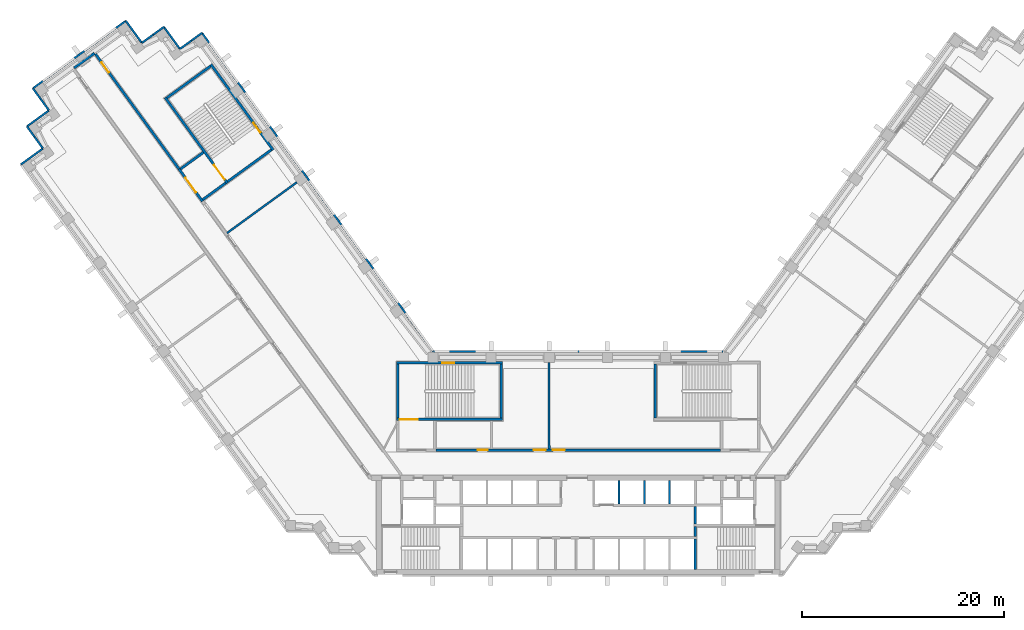
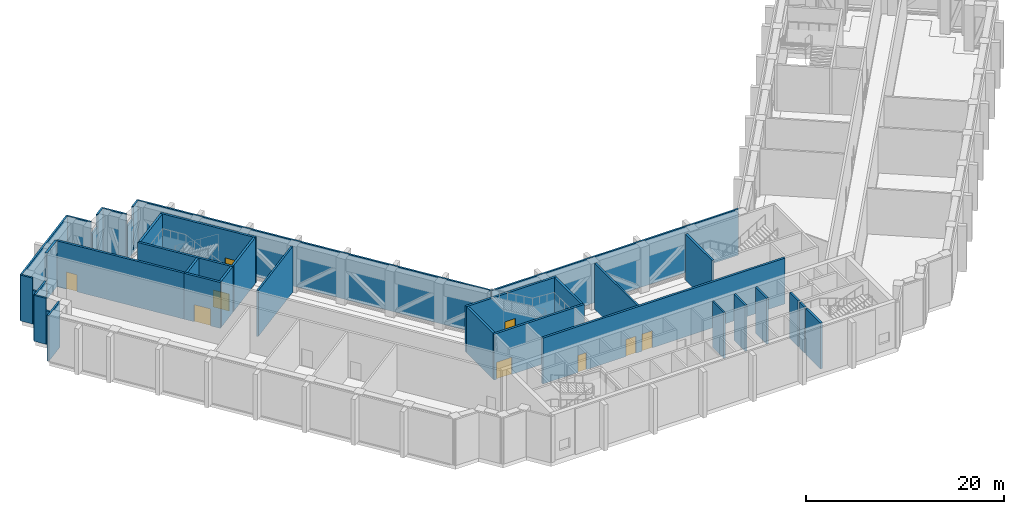
# One storey, part 13 of 19: 38 walls, 7 doors, 2 windows, 9 openings.
"""IFC4 building model written with IfcOpenShell, lengths in metres."""

from ifc_helpers import new_model, si_unit, direction, frame, frame_2d, origin, place, context, subcontext, project, spatial, rectangle, extrude, material, layer, layer_set, type_object, element, fill, save


model = new_model("IFC4")

# Units and contexts
model_context = context("Model", 3, precision=1e-05, world=origin(), true_north=direction((0.0, 1.0)))
body_context = subcontext(model_context, "Body", "Model", "MODEL_VIEW")
ifc_project = project(units=[si_unit("LENGTHUNIT", "METRE"), si_unit("AREAUNIT", "SQUARE_METRE"), si_unit("VOLUMEUNIT", "CUBIC_METRE"), si_unit("PLANEANGLEUNIT", "RADIAN"), si_unit("MASSUNIT", "GRAM", prefix="KILO")], contexts=[model_context])

# Site, building, storey
site_placement = place(None, origin())
site = spatial("IfcSite", under=ifc_project, at=site_placement, CompositionType="ELEMENT")
building_placement = place(site_placement, origin())
building = spatial("IfcBuilding", under=site, at=building_placement, Name="Quipu Civic Tower", CompositionType="ELEMENT")
storey_placement = place(building_placement, frame((0.0, 0.0, 25.0)))
storey = spatial("IfcBuildingStorey", under=building, at=storey_placement, Name="L05", CompositionType="ELEMENT", Elevation=25.0)

# Walls
ifc_material_1 = material(Name="Fired clay blockwork", Category="masonry")
ifc_layer_1 = layer(ifc_material_1, 0.199951171875)
ifc_layer_set_1 = layer_set([ifc_layer_1], Name="Fired clay blockwork")
wall_type_1 = type_object("IfcWallType", Name="Blockwork wall 200", PredefinedType="SOLIDWALL", material=ifc_layer_set_1)
wall_1_placement = place(storey_placement, frame((-27.891845703125, 27.868408203125, 0.0), z_axis=(0.0, 0.0, 1.0), x_axis=(-0.809008992571, -0.587796265673, 0.0)))
element("IfcWall", 1, at=wall_1_placement, inside=storey, type_object=wall_type_1, Name="Partition P04", PredefinedType="SOLIDWALL", context=body_context, shape_type="SweptSolid", body=[
    extrude(rectangle(XDim=8.546630859375, YDim=0.199951171875, at=frame_2d((4.2734375, 0.0))), origin(), (0.0, 0.0, 1.0), 5.64990234375),
])
wall_2_placement = place(storey_placement, frame((-2.87890625, 1.449951171875, 0.0), z_axis=(0.0, 0.0, 1.0), x_axis=(-0.002485635589, 0.999996910803, 0.0)))
element("IfcWall", 2, at=wall_2_placement, inside=storey, type_object=wall_type_1, Name="Partition P07", PredefinedType="SOLIDWALL", context=body_context, shape_type="SweptSolid", body=[
    extrude(rectangle(XDim=8.545166015625, YDim=0.199951171875, at=frame_2d((4.2724609375, 0.0))), origin(), (0.0, 0.0, 1.0), 5.64990234375),
])
ifc_material_2 = material(Name="Concrete C70/85", Category="concrete")
ifc_layer_2 = layer(ifc_material_2, 0.25)
ifc_layer_set_2 = layer_set([ifc_layer_2], Name="Concrete C70/85")
wall_type_2 = type_object("IfcWallType", Name="Core wall 250", PredefinedType="SHEAR", material=ifc_layer_set_2)
wall_3_placement = place(storey_placement, frame((11.574951171875, -10.5, 0.0), z_axis=(0.0, 0.0, 1.0), x_axis=(0.0, 1.0, 0.0)))
element("IfcWall", 3, at=wall_3_placement, inside=storey, type_object=wall_type_2, Name="Core wall", PredefinedType="SHEAR", context=body_context, shape_type="SweptSolid", body=[
    extrude(rectangle(XDim=3.0, YDim=0.25, at=frame_2d((1.5, 0.0))), origin(), (0.0, 0.0, 1.0), 5.64990234375),
])
wall_4_placement = place(storey_placement, frame((11.574951171875, -7.25, 0.0), z_axis=(0.0, 0.0, 1.0), x_axis=(0.0, 1.0, 0.0)))
element("IfcWall", 4, at=wall_4_placement, inside=storey, type_object=wall_type_2, Name="Core wall", PredefinedType="SHEAR", context=body_context, shape_type="SweptSolid", body=[
    extrude(rectangle(XDim=1.0, YDim=0.25, at=frame_2d((0.5, 0.0))), origin(), (0.0, 0.0, 1.0), 5.64990234375),
])
wall_5_placement = place(storey_placement, frame((11.574951171875, -6.0, 0.0), z_axis=(0.0, 0.0, 1.0), x_axis=(0.0, 1.0, 0.0)))
element("IfcWall", 5, at=wall_5_placement, inside=storey, type_object=wall_type_2, Name="Core wall", PredefinedType="SHEAR", context=body_context, shape_type="SweptSolid", body=[
    extrude(rectangle(XDim=1.75, YDim=0.25, at=frame_2d((0.875, 0.0))), origin(), (0.0, 0.0, 1.0), 5.64990234375),
])

# Wall, opening, door
wall_6_placement = place(storey_placement, frame((-18.0, 4.375, 0.0), z_axis=(0.0, 0.0, 1.0), x_axis=(1.0, 0.0, 0.0)))
wall_6 = element("IfcWall", 6, at=wall_6_placement, inside=storey, type_object=wall_type_2, Name="Core wall", PredefinedType="SHEAR", context=body_context, shape_type="SweptSolid", body=[
    extrude(rectangle(XDim=10.5, YDim=0.25, at=frame_2d((5.25, 0.0))), origin(), (0.0, 0.0, 1.0), 5.64990234375),
])
opening_1_placement = place(wall_6_placement, frame((0.300048828125, 0.0, 0.0)))
opening_1 = element("IfcOpeningElement", 7, at=opening_1_placement, cuts=wall_6, Name="Opening CD-16", PredefinedType="OPENING", context=body_context, shape_type="SweptSolid", body=[
    extrude(rectangle(XDim=1.800048828125, YDim=2.10009765625, at=frame_2d((0.89990234375, 1.050048828125))), frame((0.0, 0.135009765625, 0.0), z_axis=(0.0, -1.0, 0.0), x_axis=(1.0, 0.0, 0.0)), (0.0, 0.0, 1.0), 0.27001953125),
])
ifc_material_3 = material(Name="Fire rated steel door", Category="steel")
door_type_1 = type_object("IfcDoorType", Name="Fire door FD90 double 1800 x 2100", OperationType="NOTDEFINED", PredefinedType="DOOR", material=ifc_material_3)
door_1_placement = place(opening_1_placement, origin())
door_1 = element("IfcDoor", 8, at=door_1_placement, inside=storey, type_object=door_type_1, Name="Door", OperationType="DOUBLE_DOOR_SINGLE_SWING", OverallHeight=2.10009765625, OverallWidth=1.800048828125, PredefinedType="DOOR", context=body_context, shape_type="SweptSolid", body=[
    extrude(rectangle(XDim=1.800048828125, YDim=2.10009765625, at=frame_2d((0.89990234375, 1.050048828125))), frame((0.0, 0.02490234375, 0.0), z_axis=(0.0, -1.0, 0.0), x_axis=(1.0, 0.0, 0.0)), (0.0, 0.0, 1.0), 0.050048828125),
])
fill(opening_1, door_1)

# Walls
for number, where, z_axis, x_axis, name in (
    (9, (-17.875, 4.5, 0.0), (0.0, 0.0, 1.0), (0.0, 1.0, 0.0), "Core wall"),
    (10, (-7.625, 4.5, 0.0), (0.0, 0.0, 1.0), (0.0, 1.0, 0.0), "Core wall"),
):
    element("IfcWall", number, at=place(storey_placement, frame(where, z_axis=z_axis, x_axis=x_axis)), inside=storey, type_object=wall_type_2, Name=name, PredefinedType="SHEAR", context=body_context, shape_type="SweptSolid", body=[
        extrude(rectangle(XDim=5.35009765625, YDim=0.25, at=frame_2d((2.675048828125, 0.0))), origin(), (0.0, 0.0, 1.0), 5.64990234375),
    ])

# Wall, opening, window
wall_7_placement = place(storey_placement, frame((-18.0, 9.97509765625, 0.0), z_axis=(0.0, 0.0, 1.0), x_axis=(1.0, 0.0, 0.0)))
wall_7 = element("IfcWall", 11, at=wall_7_placement, inside=storey, type_object=wall_type_2, Name="Core wall", PredefinedType="SHEAR", context=body_context, shape_type="SweptSolid", body=[
    extrude(rectangle(XDim=10.5, YDim=0.25, at=frame_2d((5.25, 0.0))), origin(), (0.0, 0.0, 1.0), 5.64990234375),
])
opening_2_placement = place(wall_7_placement, frame((4.5, 0.0, 1.0)))
opening_2 = element("IfcOpeningElement", 12, at=opening_2_placement, cuts=wall_7, Name="Opening SV-3", PredefinedType="OPENING", context=body_context, shape_type="SweptSolid", body=[
    extrude(rectangle(XDim=1.199951171875, YDim=1.199951171875, at=frame_2d((0.60009765625, 0.60009765625))), frame((0.0, 0.135009765625, 0.0), z_axis=(0.0, -1.0, 0.0), x_axis=(1.0, 0.0, 0.0)), (0.0, 0.0, 1.0), 0.27001953125),
])
ifc_material_4 = material(Name="Aluminium louvre", Category="aluminium")
window_type = type_object("IfcWindowType", Name="Stair ventilation louvre 1200 x 1200", PartitioningType="SINGLE_PANEL", PredefinedType="WINDOW", material=ifc_material_4)
window_1_placement = place(opening_2_placement, origin())
window_1 = element("IfcWindow", 13, at=window_1_placement, inside=storey, type_object=window_type, Name="Stair ventilation opening", OverallHeight=1.199951171875, OverallWidth=1.199951171875, PartitioningType="SINGLE_PANEL", PredefinedType="WINDOW", context=body_context, shape_type="SweptSolid", body=[
    extrude(rectangle(XDim=1.199951171875, YDim=1.199951171875, at=frame_2d((0.60009765625, 0.60009765625))), frame((0.0, 0.030029296875, 0.0), z_axis=(0.0, -1.0, 0.0), x_axis=(1.0, 0.0, 0.0)), (0.0, 0.0, 1.0), 0.06005859375),
])
fill(opening_2, window_1)

# Wall
wall_8_placement = place(storey_placement, frame((7.625, 4.5, 0.0), z_axis=(0.0, 0.0, 1.0), x_axis=(0.0, 1.0, 0.0)))
element("IfcWall", 14, at=wall_8_placement, inside=storey, type_object=wall_type_2, Name="Core wall", PredefinedType="SHEAR", context=body_context, shape_type="SweptSolid", body=[
    extrude(rectangle(XDim=5.35009765625, YDim=0.25, at=frame_2d((2.675048828125, 0.0))), origin(), (0.0, 0.0, 1.0), 5.64990234375),
])

# Wall, opening, window
wall_9_placement = place(storey_placement, frame((-30.239501953125, 31.06396484375, 0.0), z_axis=(0.0, 0.0, 1.0), x_axis=(-0.587795589702, 0.809009483706, 0.0)))
wall_9 = element("IfcWall", 15, at=wall_9_placement, inside=storey, type_object=wall_type_2, Name="Core wall", PredefinedType="SHEAR", context=body_context, shape_type="SweptSolid", body=[
    extrude(rectangle(XDim=10.5, YDim=0.25, at=frame_2d((5.25, 0.0))), origin(), (0.0, 0.0, 1.0), 5.64990234375),
])
opening_3_placement = place(wall_9_placement, frame((2.14990234375, 0.0, 1.0)))
opening_3 = element("IfcOpeningElement", 16, at=opening_3_placement, cuts=wall_9, Name="Opening SV-6", PredefinedType="OPENING", context=body_context, shape_type="SweptSolid", body=[
    extrude(rectangle(XDim=1.199951171875, YDim=1.199951171875, at=frame_2d((0.60009765625, 0.60009765625))), frame((0.0, 0.135009765625, 0.0), z_axis=(0.0, -1.0, 0.0), x_axis=(1.0, 0.0, 0.0)), (0.0, 0.0, 1.0), 0.27001953125),
])
window_2_placement = place(opening_3_placement, origin())
window_2 = element("IfcWindow", 17, at=window_2_placement, inside=storey, type_object=window_type, Name="Stair ventilation opening", OverallHeight=1.199951171875, OverallWidth=1.199951171875, PartitioningType="SINGLE_PANEL", PredefinedType="WINDOW", context=body_context, shape_type="SweptSolid", body=[
    extrude(rectangle(XDim=1.199951171875, YDim=1.199951171875, at=frame_2d((0.60009765625, 0.60009765625))), frame((0.0, 0.030029296875, 0.0), z_axis=(0.0, -1.0, 0.0), x_axis=(1.0, 0.0, 0.0)), (0.0, 0.0, 1.0), 0.06005859375),
])
fill(opening_3, window_2)

# Walls
wall_10_placement = place(storey_placement, frame((-30.414306640625, 31.091796875, 0.0), z_axis=(0.0, 0.0, 1.0), x_axis=(-0.8089984606, -0.587810760999, 0.0)))
element("IfcWall", 18, at=wall_10_placement, inside=storey, type_object=wall_type_2, Name="Core wall", PredefinedType="SHEAR", context=body_context, shape_type="SweptSolid", body=[
    extrude(rectangle(XDim=5.35009765625, YDim=0.25, at=frame_2d((2.675048828125, 0.0))), origin(), (0.0, 0.0, 1.0), 5.64990234375),
])
wall_11_placement = place(storey_placement, frame((-36.43896484375, 39.384033203125, 0.0), z_axis=(0.0, 0.0, 1.0), x_axis=(-0.809020161303, -0.587780893365, 0.0)))
element("IfcWall", 19, at=wall_11_placement, inside=storey, type_object=wall_type_2, Name="Core wall", PredefinedType="SHEAR", context=body_context, shape_type="SweptSolid", body=[
    extrude(rectangle(XDim=5.349853515625, YDim=0.25, at=frame_2d((2.6748046875, 0.0))), origin(), (0.0, 0.0, 1.0), 5.64990234375),
])

# Wall, opening, door
wall_12_placement = place(storey_placement, frame((-40.94189453125, 36.26708984375, 0.0), z_axis=(0.0, 0.0, 1.0), x_axis=(0.587795589702, -0.809009483706, 0.0)))
wall_12 = element("IfcWall", 20, at=wall_12_placement, inside=storey, type_object=wall_type_2, Name="Core wall", PredefinedType="SHEAR", context=body_context, shape_type="SweptSolid", body=[
    extrude(rectangle(XDim=10.5, YDim=0.25, at=frame_2d((5.25, 0.0))), origin(), (0.0, 0.0, 1.0), 5.64990234375),
])
opening_4_placement = place(wall_12_placement, frame((8.25, 0.0, 0.0)))
opening_4 = element("IfcOpeningElement", 21, at=opening_4_placement, cuts=wall_12, Name="Opening CD-19", PredefinedType="OPENING", context=body_context, shape_type="SweptSolid", body=[
    extrude(rectangle(XDim=1.800048828125, YDim=2.10009765625, at=frame_2d((0.89990234375, 1.050048828125))), frame((0.0, 0.135009765625, 0.0), z_axis=(0.0, -1.0, 0.0), x_axis=(1.0, 0.0, 0.0)), (0.0, 0.0, 1.0), 0.27001953125),
])
door_2_placement = place(opening_4_placement, origin())
door_2 = element("IfcDoor", 22, at=door_2_placement, inside=storey, type_object=door_type_1, Name="Door", OperationType="DOUBLE_DOOR_SINGLE_SWING", OverallHeight=2.10009765625, OverallWidth=1.800048828125, PredefinedType="DOOR", context=body_context, shape_type="SweptSolid", body=[
    extrude(rectangle(XDim=1.800048828125, YDim=2.10009765625, at=frame_2d((0.89990234375, 1.050048828125))), frame((0.0, 0.02490234375, 0.0), z_axis=(0.0, -1.0, 0.0), x_axis=(1.0, 0.0, 0.0)), (0.0, 0.0, 1.0), 0.050048828125),
])
fill(opening_4, door_2)

# Walls
for number, where, z_axis, x_axis, name in (
    (23, (-34.944580078125, 27.800048828125, 0.0), (0.0, 0.0, 1.0), (-0.809041377956, -0.587751689708, 0.0), "Core wall"),
    (24, (-37.14892578125, 30.833984375, 0.0), (0.0, 0.0, 1.0), (-0.808969789945, -0.58785021813, 0.0), "Core wall"),
):
    element("IfcWall", number, at=place(storey_placement, frame(where, z_axis=z_axis, x_axis=x_axis)), inside=storey, type_object=wall_type_2, Name=name, PredefinedType="SHEAR", context=body_context, shape_type="SweptSolid", body=[
        extrude(rectangle(XDim=2.800048828125, YDim=0.25, at=frame_2d((1.39990234375, 0.0))), origin(), (0.0, 0.0, 1.0), 5.64990234375),
    ])

# Wall, opening, door
wall_13_placement = place(storey_placement, frame((-39.588623046875, 29.2158203125, 0.0), z_axis=(0.0, 0.0, 1.0), x_axis=(0.587772420479, -0.809026317077, 0.0)))
wall_13 = element("IfcWall", 25, at=wall_13_placement, inside=storey, type_object=wall_type_2, Name="Core wall", PredefinedType="SHEAR", context=body_context, shape_type="SweptSolid", body=[
    extrude(rectangle(XDim=4.0, YDim=0.25, at=frame_2d((2.0, 0.0))), origin(), (0.0, 0.0, 1.0), 5.64990234375),
])
opening_5_placement = place(wall_13_placement, frame((1.10009765625, 0.0, 0.0)))
opening_5 = element("IfcOpeningElement", 26, at=opening_5_placement, cuts=wall_13, Name="Opening CD-20", PredefinedType="OPENING", context=body_context, shape_type="SweptSolid", body=[
    extrude(rectangle(XDim=1.800048828125, YDim=2.10009765625, at=frame_2d((0.89990234375, 1.050048828125))), frame((0.0, 0.135009765625, 0.0), z_axis=(0.0, -1.0, 0.0), x_axis=(1.0, 0.0, 0.0)), (0.0, 0.0, 1.0), 0.27001953125),
])
door_3_placement = place(opening_5_placement, origin())
door_3 = element("IfcDoor", 27, at=door_3_placement, inside=storey, type_object=door_type_1, Name="Lobby door", OperationType="DOUBLE_DOOR_SINGLE_SWING", OverallHeight=2.10009765625, OverallWidth=1.800048828125, PredefinedType="DOOR", context=body_context, shape_type="SweptSolid", body=[
    extrude(rectangle(XDim=1.800048828125, YDim=2.10009765625, at=frame_2d((0.89990234375, 1.050048828125))), frame((0.0, 0.02490234375, 0.0), z_axis=(0.0, -1.0, 0.0), x_axis=(1.0, 0.0, 0.0)), (0.0, 0.0, 1.0), 0.050048828125),
])
fill(opening_5, door_3)

# Wall
ifc_material_5 = material(Name="Concrete C50/60", Category="concrete")
ifc_layer_3 = layer(ifc_material_5, 0.25)
ifc_layer_set_3 = layer_set([ifc_layer_3], Name="Concrete C50/60")
wall_type_3 = type_object("IfcWallType", Name="Corridor wall 250 concrete", PredefinedType="SOLIDWALL", material=ifc_layer_set_3)
wall_14_placement = place(storey_placement, frame((-49.96044921875, 39.20166015625, 0.0), z_axis=(0.0, 0.0, 1.0), x_axis=(0.809045768422, 0.587745646176, 0.0)))
element("IfcWall", 28, at=wall_14_placement, inside=storey, type_object=wall_type_3, Name="Corridor wall C04", PredefinedType="SOLIDWALL", context=body_context, shape_type="SweptSolid", body=[
    extrude(rectangle(XDim=2.48779296875, YDim=0.25, at=frame_2d((1.243896484375, 0.0))), origin(), (0.0, 0.0, 1.0), 5.64990234375),
])

# Wall, opening, door
wall_15_placement = place(storey_placement, frame((-47.844970703125, 40.57958984375, 0.0), z_axis=(0.0, 0.0, 1.0), x_axis=(0.587788979369, -0.809014286482, 0.0)))
wall_15 = element("IfcWall", 29, at=wall_15_placement, inside=storey, type_object=wall_type_3, Name="Corridor wall C05", PredefinedType="SOLIDWALL", context=body_context, shape_type="SweptSolid", body=[
    extrude(rectangle(XDim=14.036376953125, YDim=0.25, at=frame_2d((7.01806640625, 0.0))), origin(), (0.0, 0.0, 1.0), 5.64990234375),
])
opening_6_placement = place(wall_15_placement, frame((1.04638671875, 0.0, 0.0)))
opening_6 = element("IfcOpeningElement", 30, at=opening_6_placement, cuts=wall_15, Name="Opening D012", PredefinedType="OPENING", context=body_context, shape_type="SweptSolid", body=[
    extrude(rectangle(XDim=1.199951171875, YDim=2.10009765625, at=frame_2d((0.60009765625, 1.050048828125))), frame((0.0, 0.135009765625, 0.0), z_axis=(0.0, -1.0, 0.0), x_axis=(1.0, 0.0, 0.0)), (0.0, 0.0, 1.0), 0.27001953125),
])
ifc_material_6 = material(Name="Fire rated timber door set with metal frame", Category="wood")
door_type_2 = type_object("IfcDoorType", Name="Single door 1200 x 2100 FD60", OperationType="NOTDEFINED", PredefinedType="DOOR", material=ifc_material_6)
door_4_placement = place(opening_6_placement, origin())
door_4 = element("IfcDoor", 31, at=door_4_placement, inside=storey, type_object=door_type_2, Name="Door D012", OperationType="SINGLE_SWING_LEFT", OverallHeight=2.10009765625, OverallWidth=1.199951171875, PredefinedType="DOOR", context=body_context, shape_type="SweptSolid", body=[
    extrude(rectangle(XDim=1.199951171875, YDim=2.10009765625, at=frame_2d((0.60009765625, 1.050048828125))), frame((0.0, 0.02490234375, 0.0), z_axis=(0.0, -1.0, 0.0), x_axis=(1.0, 0.0, 0.0)), (0.0, 0.0, 1.0), 0.050048828125),
])
fill(opening_6, door_4)

# Wall, openings, doors
wall_16_placement = place(storey_placement, frame((-14.090087890625, 1.324951171875, 0.0), z_axis=(0.0, 0.0, 1.0), x_axis=(1.0, 0.0, 0.0)))
wall_16 = element("IfcWall", 32, at=wall_16_placement, inside=storey, type_object=wall_type_3, Name="Corridor wall C07", PredefinedType="SOLIDWALL", context=body_context, shape_type="SweptSolid", body=[
    extrude(rectangle(XDim=28.18017578125, YDim=0.25, at=frame_2d((14.090087890625, 0.0))), origin(), (0.0, 0.0, 1.0), 5.64990234375),
])
opening_7_placement = place(wall_16_placement, frame((9.660888671875, 0.0, 0.0)))
opening_7 = element("IfcOpeningElement", 33, at=opening_7_placement, cuts=wall_16, Name="Opening D010", PredefinedType="OPENING", context=body_context, shape_type="SweptSolid", body=[
    extrude(rectangle(XDim=1.199951171875, YDim=2.10009765625, at=frame_2d((0.60009765625, 1.050048828125))), frame((0.0, 0.135009765625, 0.0), z_axis=(0.0, -1.0, 0.0), x_axis=(1.0, 0.0, 0.0)), (0.0, 0.0, 1.0), 0.27001953125),
])
opening_8_placement = place(wall_16_placement, frame((11.56103515625, 0.0, 0.0)))
opening_8 = element("IfcOpeningElement", 34, at=opening_8_placement, cuts=wall_16, Name="Opening D011", PredefinedType="OPENING", context=body_context, shape_type="SweptSolid", body=[
    extrude(rectangle(XDim=1.199951171875, YDim=2.10009765625, at=frame_2d((0.60009765625, 1.050048828125))), frame((0.0, 0.135009765625, 0.0), z_axis=(0.0, -1.0, 0.0), x_axis=(1.0, 0.0, 0.0)), (0.0, 0.0, 1.0), 0.27001953125),
])
opening_9_placement = place(wall_16_placement, frame((4.10302734375, 0.0, 0.0)))
opening_9 = element("IfcOpeningElement", 35, at=opening_9_placement, cuts=wall_16, Name="Opening D009", PredefinedType="OPENING", context=body_context, shape_type="SweptSolid", body=[
    extrude(rectangle(XDim=1.0, YDim=2.10009765625, at=frame_2d((0.5, 1.050048828125))), frame((0.0, 0.135009765625, 0.0), z_axis=(0.0, -1.0, 0.0), x_axis=(1.0, 0.0, 0.0)), (0.0, 0.0, 1.0), 0.27001953125),
])
ifc_material_7 = material(Name="Fire rated timber door set with metal frame", Category="wood")
door_type_3 = type_object("IfcDoorType", Name="Single door 1000 x 2100 FD60", OperationType="NOTDEFINED", PredefinedType="DOOR", material=ifc_material_7)
door_5_placement = place(opening_9_placement, origin())
door_5 = element("IfcDoor", 36, at=door_5_placement, inside=storey, type_object=door_type_3, Name="Door D009", OperationType="SINGLE_SWING_RIGHT", OverallHeight=2.10009765625, OverallWidth=1.0, PredefinedType="DOOR", context=body_context, shape_type="SweptSolid", body=[
    extrude(rectangle(XDim=1.0, YDim=2.10009765625, at=frame_2d((0.5, 1.050048828125))), frame((0.0, 0.02490234375, 0.0), z_axis=(0.0, -1.0, 0.0), x_axis=(1.0, 0.0, 0.0)), (0.0, 0.0, 1.0), 0.050048828125),
])
fill(opening_9, door_5)
door_6_placement = place(opening_7_placement, origin())
door_6 = element("IfcDoor", 37, at=door_6_placement, inside=storey, type_object=door_type_2, Name="Door D010", OperationType="SINGLE_SWING_RIGHT", OverallHeight=2.10009765625, OverallWidth=1.199951171875, PredefinedType="DOOR", context=body_context, shape_type="SweptSolid", body=[
    extrude(rectangle(XDim=1.199951171875, YDim=2.10009765625, at=frame_2d((0.60009765625, 1.050048828125))), frame((0.0, 0.02490234375, 0.0), z_axis=(0.0, -1.0, 0.0), x_axis=(1.0, 0.0, 0.0)), (0.0, 0.0, 1.0), 0.050048828125),
])
fill(opening_7, door_6)
door_7_placement = place(opening_8_placement, origin())
door_7 = element("IfcDoor", 38, at=door_7_placement, inside=storey, type_object=door_type_2, Name="Door D011", OperationType="SINGLE_SWING_LEFT", OverallHeight=2.10009765625, OverallWidth=1.199951171875, PredefinedType="DOOR", context=body_context, shape_type="SweptSolid", body=[
    extrude(rectangle(XDim=1.199951171875, YDim=2.10009765625, at=frame_2d((0.60009765625, 1.050048828125))), frame((0.0, 0.02490234375, 0.0), z_axis=(0.0, -1.0, 0.0), x_axis=(1.0, 0.0, 0.0)), (0.0, 0.0, 1.0), 0.050048828125),
])
fill(opening_8, door_7)

# Walls
ifc_material_8 = material(Name="Precast concrete C40/50", Category="concrete")
wall_type_4 = type_object("IfcWallType", Name="Precast cladding wall", PredefinedType="SOLIDWALL", material=ifc_material_8)
wall_17_placement = place(storey_placement, frame((-14.35400390625, 11.093017578125, 0.0), z_axis=(0.0, 0.0, 1.0), x_axis=(-0.587787194805, 0.809015583054, 0.0)))
element("IfcWall", 39, at=wall_17_placement, inside=storey, type_object=wall_type_4, Name="Precast cladding wall L05 1", PredefinedType="SOLIDWALL", context=body_context, shape_type="SweptSolid", body=[
    extrude(rectangle(XDim=39.044189453125, YDim=0.199951171875, at=frame_2d((19.52197265625, 0.0))), origin(), (0.0, 0.0, 1.0), 5.64990234375),
])
wall_18_placement = place(storey_placement, frame((-37.286865234375, 42.677734375, 0.0), z_axis=(0.0, 0.0, 1.0), x_axis=(-0.809065186597, -0.587718915671, 0.0)))
element("IfcWall", 40, at=wall_18_placement, inside=storey, type_object=wall_type_4, Name="Precast cladding wall L05 2", PredefinedType="SOLIDWALL", context=body_context, shape_type="SweptSolid", body=[
    extrude(rectangle(XDim=1.314697265625, YDim=0.199951171875, at=frame_2d((0.6572265625, 0.0))), origin(), (0.0, 0.0, 1.0), 5.64990234375),
])
wall_19_placement = place(storey_placement, frame((-38.3505859375, 41.905029296875, 0.0), z_axis=(0.0, 0.0, 1.0), x_axis=(-0.809002762913, -0.58780483972, 0.0)))
element("IfcWall", 41, at=wall_19_placement, inside=storey, type_object=wall_type_4, Name="Precast cladding wall L05 2 a", PredefinedType="SOLIDWALL", context=body_context, shape_type="SweptSolid", body=[
    extrude(rectangle(XDim=1.38525390625, YDim=0.199951171875, at=frame_2d((0.692626953125, 0.0))), origin(), (0.0, 0.0, 1.0), 4.14990234375),
])
wall_20_placement = place(storey_placement, frame((-39.488037109375, 41.093505859375, 0.0), z_axis=(0.0, 0.0, 1.0), x_axis=(-0.587806000234, 0.809001919707, 0.0)))
element("IfcWall", 42, at=wall_20_placement, inside=storey, type_object=wall_type_4, Name="Precast cladding wall L05 3", PredefinedType="SOLIDWALL", context=body_context, shape_type="SweptSolid", body=[
    extrude(rectangle(XDim=2.69970703125, YDim=0.199951171875, at=frame_2d((1.349853515625, 0.0))), origin(), (0.0, 0.0, 1.0), 5.64990234375),
])
wall_21_placement = place(storey_placement, frame((-41.05810546875, 43.275146484375, 0.0), z_axis=(0.0, 0.0, 1.0), x_axis=(-0.809056865039, -0.587730371117, 0.0)))
element("IfcWall", 43, at=wall_21_placement, inside=storey, type_object=wall_type_4, Name="Precast cladding wall L05 4", PredefinedType="SOLIDWALL", context=body_context, shape_type="SweptSolid", body=[
    extrude(rectangle(XDim=1.31591796875, YDim=0.199951171875, at=frame_2d((0.657958984375, 0.0))), origin(), (0.0, 0.0, 1.0), 5.64990234375),
])
wall_22_placement = place(storey_placement, frame((-42.122802734375, 42.501708984375, 0.0), z_axis=(0.0, 0.0, 1.0), x_axis=(-0.808926734208, -0.5879094647, 0.0)))
element("IfcWall", 44, at=wall_22_placement, inside=storey, type_object=wall_type_4, Name="Precast cladding wall L05 4 a", PredefinedType="SOLIDWALL", context=body_context, shape_type="SweptSolid", body=[
    extrude(rectangle(XDim=1.384033203125, YDim=0.199951171875, at=frame_2d((0.69189453125, 0.0))), origin(), (0.0, 0.0, 1.0), 4.14990234375),
])
wall_23_placement = place(storey_placement, frame((-43.25927734375, 41.690673828125, 0.0), z_axis=(0.0, 0.0, 1.0), x_axis=(-0.587822180636, 0.808990163075, 0.0)))
element("IfcWall", 45, at=wall_23_placement, inside=storey, type_object=wall_type_4, Name="Precast cladding wall L05 5", PredefinedType="SOLIDWALL", context=body_context, shape_type="SweptSolid", body=[
    extrude(rectangle(XDim=2.699951171875, YDim=0.199951171875, at=frame_2d((1.35009765625, 0.0))), origin(), (0.0, 0.0, 1.0), 5.64990234375),
])
wall_24_placement = place(storey_placement, frame((-44.82958984375, 43.872314453125, 0.0), z_axis=(0.0, 0.0, 1.0), x_axis=(-0.809023074878, -0.587776883106, 0.0)))
element("IfcWall", 46, at=wall_24_placement, inside=storey, type_object=wall_type_4, Name="Precast cladding wall L05 6", PredefinedType="SOLIDWALL", context=body_context, shape_type="SweptSolid", body=[
    extrude(rectangle(XDim=11.400146484375, YDim=0.199951171875, at=frame_2d((5.7001953125, 0.0))), origin(), (0.0, 0.0, 1.0), 5.64990234375),
])
wall_25_placement = place(storey_placement, frame((-54.0498046875, 37.1884765625, 0.0), z_axis=(0.0, 0.0, 1.0), x_axis=(0.58786388341, -0.808959859686, 0.0)))
element("IfcWall", 47, at=wall_25_placement, inside=storey, type_object=wall_type_4, Name="Precast cladding wall L05 7", PredefinedType="SOLIDWALL", context=body_context, shape_type="SweptSolid", body=[
    extrude(rectangle(XDim=1.320556640625, YDim=0.199951171875, at=frame_2d((0.66015625, 0.0))), origin(), (0.0, 0.0, 1.0), 5.64990234375),
])
wall_26_placement = place(storey_placement, frame((-53.2734375, 36.1201171875, 0.0), z_axis=(0.0, 0.0, 1.0), x_axis=(0.587782252522, -0.809019173827, 0.0)))
element("IfcWall", 48, at=wall_26_placement, inside=storey, type_object=wall_type_4, Name="Precast cladding wall L05 7 a", PredefinedType="SOLIDWALL", context=body_context, shape_type="SweptSolid", body=[
    extrude(rectangle(XDim=1.37939453125, YDim=0.199951171875, at=frame_2d((0.689697265625, 0.0))), origin(), (0.0, 0.0, 1.0), 4.14990234375),
])
wall_27_placement = place(storey_placement, frame((-52.46533203125, 34.9873046875, 0.0), z_axis=(0.0, 0.0, 1.0), x_axis=(-0.809033161865, -0.587762999008, 0.0)))
element("IfcWall", 49, at=wall_27_placement, inside=storey, type_object=wall_type_4, Name="Precast cladding wall L05 8", PredefinedType="SOLIDWALL", context=body_context, shape_type="SweptSolid", body=[
    extrude(rectangle(XDim=2.699951171875, YDim=0.199951171875, at=frame_2d((1.35009765625, 0.0))), origin(), (0.0, 0.0, 1.0), 5.64990234375),
])
wall_28_placement = place(storey_placement, frame((-54.647216796875, 33.4169921875, 0.0), z_axis=(0.0, 0.0, 1.0), x_axis=(0.587871379726, -0.808954412127, 0.0)))
element("IfcWall", 50, at=wall_28_placement, inside=storey, type_object=wall_type_4, Name="Precast cladding wall L05 9", PredefinedType="SOLIDWALL", context=body_context, shape_type="SweptSolid", body=[
    extrude(rectangle(XDim=1.30517578125, YDim=0.199951171875, at=frame_2d((0.652587890625, 0.0))), origin(), (0.0, 0.0, 1.0), 5.64990234375),
])
wall_29_placement = place(storey_placement, frame((-53.8798828125, 32.361083984375, 0.0), z_axis=(0.0, 0.0, 1.0), x_axis=(0.587776137069, -0.809023616894, 0.0)))
element("IfcWall", 51, at=wall_29_placement, inside=storey, type_object=wall_type_4, Name="Precast cladding wall L05 9 a", PredefinedType="SOLIDWALL", context=body_context, shape_type="SweptSolid", body=[
    extrude(rectangle(XDim=1.394775390625, YDim=0.199951171875, at=frame_2d((0.697265625, 0.0))), origin(), (0.0, 0.0, 1.0), 4.14990234375),
])
wall_30_placement = place(storey_placement, frame((-53.062744140625, 31.2158203125, 0.0), z_axis=(0.0, 0.0, 1.0), x_axis=(-0.809033161865, -0.587762999008, 0.0)))
element("IfcWall", 52, at=wall_30_placement, inside=storey, type_object=wall_type_4, Name="Precast cladding wall L05 10", PredefinedType="SOLIDWALL", context=body_context, shape_type="SweptSolid", body=[
    extrude(rectangle(XDim=2.699951171875, YDim=0.199951171875, at=frame_2d((1.35009765625, 0.0))), origin(), (0.0, 0.0, 1.0), 5.64990234375),
])
wall_31_placement = place(storey_placement, frame((14.34423828125, 11.087890625, 0.0), z_axis=(0.0, 0.0, 1.0), x_axis=(-1.0, 0.0, 0.0)))
element("IfcWall", 53, at=wall_31_placement, inside=storey, type_object=wall_type_4, Name="Precast cladding wall L05 38", PredefinedType="SOLIDWALL", context=body_context, shape_type="SweptSolid", body=[
    extrude(rectangle(XDim=28.6884765625, YDim=0.199951171875, at=frame_2d((14.34423828125, 0.0))), origin(), (0.0, 0.0, 1.0), 5.64990234375),
])
ifc_material_9 = material(Name="Concrete C40/50", Category="concrete")
ifc_layer_4 = layer(ifc_material_9, 0.199951171875)
ifc_layer_set_4 = layer_set([ifc_layer_4], Name="Concrete C40/50")
wall_type_5 = type_object("IfcWallType", Name="Shaft wall 200", PredefinedType="SOLIDWALL", material=ifc_layer_set_4)
for number, where, z_axis, x_axis, name in (
    (54, (4.050048828125, -4.0, 0.0), (0.0, 0.0, 1.0), (0.0, 1.0, 0.0), "Shaft wall"),
    (55, (6.550048828125, -4.0, 0.0), (0.0, 0.0, 1.0), (0.0, 1.0, 0.0), "Shaft wall"),
    (56, (9.050048828125, -4.0, 0.0), (0.0, 0.0, 1.0), (0.0, 1.0, 0.0), "Shaft wall"),
):
    element("IfcWall", number, at=place(storey_placement, frame(where, z_axis=z_axis, x_axis=x_axis)), inside=storey, type_object=wall_type_5, Name=name, PredefinedType="SOLIDWALL", context=body_context, shape_type="SweptSolid", body=[
        extrude(rectangle(XDim=2.300048828125, YDim=0.199951171875, at=frame_2d((1.14990234375, 0.0))), origin(), (0.0, 0.0, 1.0), 5.64990234375),
    ])

save(model, "model.ifc")
